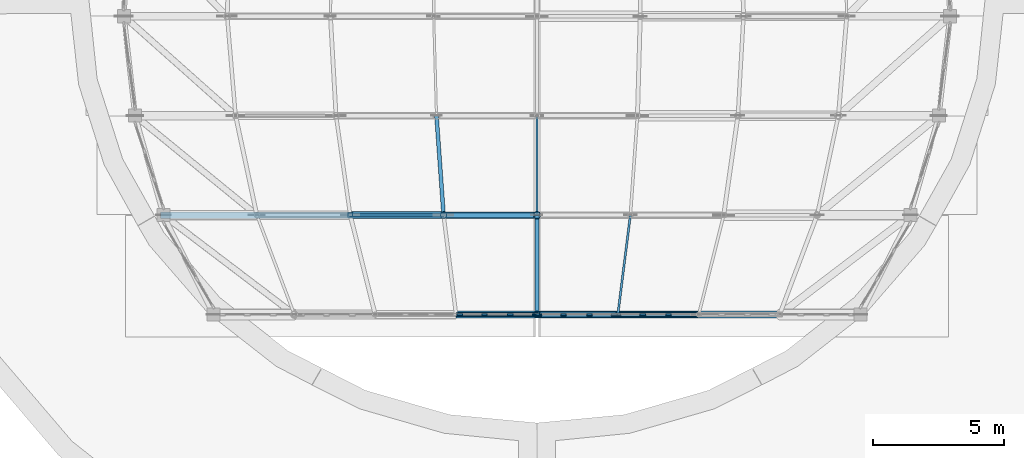
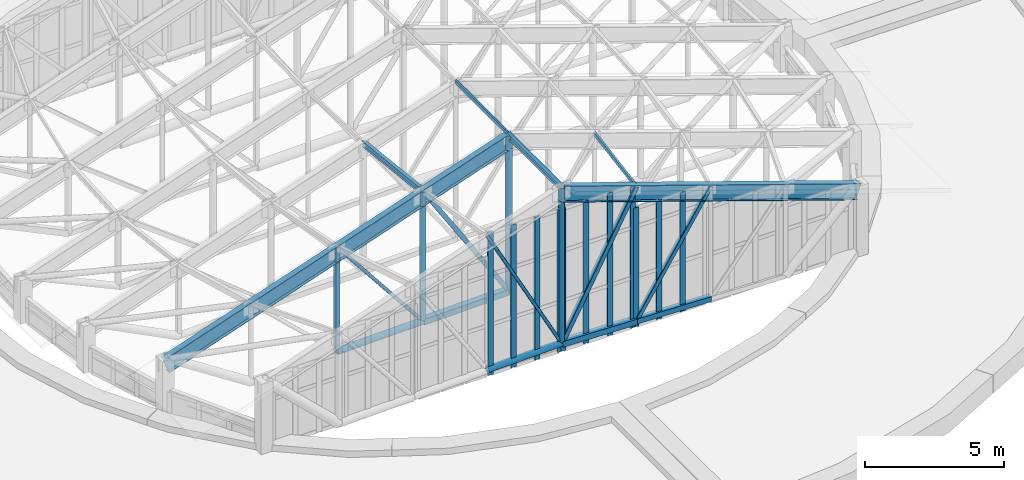
# One storey, part 11 of 105: 29 members, 2 beams, 3 elements without a shape of their own.
"""IFC4 building model written with IfcOpenShell, lengths in metres."""

import ifcopenshell
import ifcopenshell.guid

model = None  # the IFC model being written
_history = None  # IfcOwnerHistory: only IFC2X3 demands one
_inside = {}  # id of a spatial element -> (the spatial element, [elements in it])
_under = {}  # id of a project, library or spatial element -> (it, [spatial elements below it])
_declared = {}  # id of a project -> (the project, [libraries it declares])
_typed = {}  # id of a type object -> (the type object, [elements of that type])
_made_of = {}  # id of a material, layer set ... -> (it, [elements and type objects made of it])


def new_model(schema):
    """Start an empty IFC model of exactly this schema.

    Asked for "IFC4X3", IfcOpenShell would pick the latest addendum, in which some entities
    have other attributes; the version numbers below select the first issue.
    IFC2X3 requires an IfcOwnerHistory on every rooted entity: one is made here for all.
    """
    global model, _history
    if schema == "IFC4X3":
        model = ifcopenshell.file(schema_version=(4, 3, 0, 0))
    else:
        model = ifcopenshell.file(schema=schema)
    _inside.clear()
    _under.clear()
    _declared.clear()
    _typed.clear()
    _made_of.clear()
    _history = None
    if model.schema == "IFC2X3":
        org = make("IfcOrganization", Name="unknown")
        user = make(
            "IfcPersonAndOrganization",
            ThePerson=make("IfcPerson", FamilyName="unknown"),
            TheOrganization=org,
        )
        app = make(
            "IfcApplication",
            ApplicationDeveloper=org,
            Version="unknown",
            ApplicationFullName="unknown",
            ApplicationIdentifier="unknown",
        )
        _history = make(
            "IfcOwnerHistory",
            OwningUser=user,
            OwningApplication=app,
            ChangeAction="ADDED",
            CreationDate=0,
        )
    return model


def make(cls, **values):
    """One entity of the class cls with the attributes given. An attribute that is None is left unset."""
    return model.create_entity(
        cls, **{name: value for name, value in values.items() if value is not None}
    )


def rooted(cls, **values):
    """An entity with a GlobalId (a new one), such as an element, a storey or a relation."""
    return make(cls, GlobalId=ifcopenshell.guid.new(), OwnerHistory=_history, **values)


def si_unit(unit_type, name, prefix=None):
    """IfcSIUnit, for example si_unit("LENGTHUNIT", "METRE", prefix="MILLI")."""
    return make("IfcSIUnit", UnitType=unit_type, Prefix=prefix, Name=name)


def assignment(units):
    """IfcUnitAssignment: the units of a project."""
    return None if units is None else make("IfcUnitAssignment", Units=units)


def point(xyz):
    """IfcCartesianPoint."""
    return None if xyz is None else make("IfcCartesianPoint", Coordinates=xyz)


def direction(xyz):
    """IfcDirection."""
    return None if xyz is None else make("IfcDirection", DirectionRatios=xyz)


def frame(location, z_axis=None, x_axis=None):
    """IfcAxis2Placement3D, a coordinate frame: its origin and axes. An axis left out is left unset."""
    return make(
        "IfcAxis2Placement3D",
        Location=point(location),
        Axis=direction(z_axis),
        RefDirection=direction(x_axis),
    )


def frame_2d(location, x_axis=None):
    """IfcAxis2Placement2D, a coordinate frame in the plane: its origin and x axis."""
    return make(
        "IfcAxis2Placement2D", Location=point(location), RefDirection=direction(x_axis)
    )


def origin():
    """The frame at (0, 0, 0) with its axes left unset."""
    return frame((0.0, 0.0, 0.0))


def origin_2d():
    """The frame at (0, 0) in the plane with its x axis left unset."""
    return frame_2d((0.0, 0.0))


def place(relative_to, where):
    """IfcLocalPlacement: puts the frame where relative to a parent placement (None: the world)."""
    return make(
        "IfcLocalPlacement", PlacementRelTo=relative_to, RelativePlacement=where
    )


def context(
    kind, dimensions, precision=None, world=None, true_north=None, identifier=None
):
    """IfcGeometricRepresentationContext, for example the 3D "Model" context."""
    return make(
        "IfcGeometricRepresentationContext",
        ContextIdentifier=identifier,
        ContextType=kind,
        CoordinateSpaceDimension=dimensions,
        Precision=precision,
        WorldCoordinateSystem=world,
        TrueNorth=true_north,
    )


def subcontext(parent, identifier, kind, view, scale=None):
    """IfcGeometricRepresentationSubContext, for example "Body" below "Model"."""
    return make(
        "IfcGeometricRepresentationSubContext",
        ContextIdentifier=identifier,
        ContextType=kind,
        ParentContext=parent,
        TargetScale=scale,
        TargetView=view,
    )


def project(units=None, contexts=None):
    """IfcProject with its units and contexts."""
    return rooted(
        "IfcProject",
        Name="project",
        RepresentationContexts=contexts,
        UnitsInContext=assignment(units),
    )


def spatial(cls, under=None, at=None, **own):
    """A site, building, storey or space (cls), placed at a placement, below another one or the project."""
    s = rooted(cls, ObjectPlacement=at, **own)
    if under is not None:
        _under.setdefault(under.id(), (under, []))[1].append(s)
    return s


def profile(cls, at=None, kind="AREA", **sizes):
    """A parametric profile (cls). Its sizes go by their IFC names, for example OverallWidth=200.0."""
    return make(cls, ProfileType=kind, Position=at, **sizes)


def rectangle(**sizes):
    """IfcRectangleProfileDef."""
    return profile("IfcRectangleProfileDef", **sizes)


def hollow_rectangle(**sizes):
    """IfcRectangleHollowProfileDef."""
    return profile("IfcRectangleHollowProfileDef", **sizes)


def hollow_circle(**sizes):
    """IfcCircleHollowProfileDef."""
    return profile("IfcCircleHollowProfileDef", **sizes)


def i_section(**sizes):
    """IfcIShapeProfileDef."""
    return profile("IfcIShapeProfileDef", **sizes)


def extrude(swept, where, along, depth):
    """IfcExtrudedAreaSolid: the profile swept, set in the frame where, extruded along a direction by depth."""
    return make(
        "IfcExtrudedAreaSolid",
        SweptArea=swept,
        Position=where,
        ExtrudedDirection=direction(along),
        Depth=depth,
    )


def shape(context_of_items, identifier, shape_type, items):
    """IfcShapeRepresentation: the items that make up one representation, for example the "Body"."""
    return make(
        "IfcShapeRepresentation",
        ContextOfItems=context_of_items,
        RepresentationIdentifier=identifier,
        RepresentationType=shape_type,
        Items=items,
    )


def material(Name=None, Category=None):
    """IfcMaterial."""
    return make("IfcMaterial", Name=Name, Category=Category)


def material_profile(
    of_material, cross_section, Name=None, Category=None, Priority=None
):
    """IfcMaterialProfile: a cross section and its material."""
    return make(
        "IfcMaterialProfile",
        Name=Name,
        Material=of_material,
        Profile=cross_section,
        Priority=Priority,
        Category=Category,
    )


def profile_set(profiles, Name=None, composite=None):
    """IfcMaterialProfileSet."""
    return make(
        "IfcMaterialProfileSet",
        Name=Name,
        MaterialProfiles=profiles,
        CompositeProfile=composite,
    )


def made_of(thing, what):
    """Note that an element or type object is made of a material, layer set ...; save() writes the relation."""
    if what is not None:
        _made_of.setdefault(what.id(), (what, []))[1].append(thing)
    return thing


def type_object(cls, material=None, **own):
    """A type object (cls), such as IfcWallType, which elements share."""
    return made_of(rooted(cls, **own), material)


def element(
    cls,
    number,
    at=None,
    inside=None,
    cuts=None,
    type_object=None,
    material=None,
    context=None,
    identifier="Body",
    shape_type=None,
    held_by="IfcProductDefinitionShape",
    body=None,
    shapes=None,
    **own,
):
    """One element of the class cls, such as IfcWall. Its Tag is "e" and its number.

    at: its placement. inside: the storey or other place that contains it. cuts: it is an
    opening in that element (IfcRelVoidsElement). A single representation is given by context,
    identifier, shape_type and body (its items); several are given by shapes. held_by: the class
    of the entity that holds the representations. save() writes the other relations.
    """
    e = rooted(cls, Tag="e%d" % number, ObjectPlacement=at, **own)
    if body is not None:
        shapes = [shape(context, identifier, shape_type, body)]
    if shapes is not None:
        e.Representation = make(held_by, Representations=shapes)
    if inside is not None:
        _inside.setdefault(inside.id(), (inside, []))[1].append(e)
    if cuts is not None:
        rooted(
            "IfcRelVoidsElement", RelatingBuildingElement=cuts, RelatedOpeningElement=e
        )
    if type_object is not None:
        _typed.setdefault(type_object.id(), (type_object, []))[1].append(e)
    return made_of(e, material)


def aggregate(whole, parts):
    """IfcRelAggregates: a whole, such as a stair, and the parts it consists of."""
    return rooted("IfcRelAggregates", RelatingObject=whole, RelatedObjects=parts)


def save(model, path):
    """Write the relations noted so far, then the file.

    IfcRelAggregates (storeys below a building ...), IfcRelContainedInSpatialStructure (elements
    in a storey), IfcRelDefinesByType, IfcRelAssociatesMaterial and IfcRelDeclares: one each for
    every whole, place, type object, material and project.
    """
    for whole, parts in _under.values():
        aggregate(whole, parts)
    for where, things in _inside.values():
        rooted(
            "IfcRelContainedInSpatialStructure",
            RelatedElements=things,
            RelatingStructure=where,
        )
    for kind, things in _typed.values():
        rooted("IfcRelDefinesByType", RelatedObjects=things, RelatingType=kind)
    for what, things in _made_of.values():
        rooted("IfcRelAssociatesMaterial", RelatedObjects=things, RelatingMaterial=what)
    for by, libraries in _declared.values():
        rooted("IfcRelDeclares", RelatingContext=by, RelatedDefinitions=libraries)
    model.write(path)


model = new_model("IFC4")

# Units and contexts
model_context = context("Model", 3, precision=1e-05, world=origin(), true_north=direction((0.0, 1.0)))
body_context = subcontext(model_context, "Body", "Model", "MODEL_VIEW")
ifc_project = project(units=[si_unit("LENGTHUNIT", "METRE"), si_unit("AREAUNIT", "SQUARE_METRE"), si_unit("VOLUMEUNIT", "CUBIC_METRE"), si_unit("PLANEANGLEUNIT", "RADIAN"), si_unit("MASSUNIT", "GRAM", prefix="KILO")], contexts=[model_context])

# Site, building, storey
site_placement = place(None, origin())
site = spatial("IfcSite", under=ifc_project, at=site_placement, CompositionType="ELEMENT")
building_placement = place(site_placement, origin())
building = spatial("IfcBuilding", under=site, at=building_placement, Name="Corveleigh Park Community Centre", CompositionType="ELEMENT")
storey_placement = place(building_placement, frame((0.0, 0.0, 8.699951171875)))
storey = spatial("IfcBuildingStorey", under=building, at=storey_placement, Name="L02", CompositionType="ELEMENT", Elevation=8.699951171875)

# Beams
ifc_material_1 = material(Name="Steel S355", Category="steel")
ifc_material_profile_1 = material_profile(ifc_material_1, i_section(OverallWidth=0.253662109375, OverallDepth=0.68359375, WebThickness=0.012451171875, FlangeThickness=0.01904296875, at=origin_2d()), Name="UKB 686x254x140", Category="steel")
ifc_profile_set_1 = profile_set([ifc_material_profile_1], Name="Steel S355")
beam_type = type_object("IfcBeamType", Name="BM-STL-UKB686x140", PredefinedType="BEAM", material=ifc_profile_set_1)
beam_1_placement = place(storey_placement, frame((31.0, 15.39990234375, 6.951416015625), z_axis=(0.946289641438, 0.0, -0.32332014244), x_axis=(0.0, 1.0, 0.0)))
element("IfcBeam", 1, at=beam_1_placement, inside=storey, type_object=beam_type, Name="V1 Portal Rafter E1", PredefinedType="BEAM", context=body_context, shape_type="SweptSolid", body=[
    extrude(i_section(OverallWidth=0.253662109375, OverallDepth=0.68359375, WebThickness=0.012451171875, FlangeThickness=0.01904296875, at=origin_2d()), origin(), (0.0, 0.0, 1.0), 13.06787109375),
])
beam_2_placement = place(storey_placement, frame((16.72509765625, 19.199951171875, 2.074462890625), z_axis=(0.94629721214, 0.0, 0.323297983748), x_axis=(0.0, 1.0, 0.0)))
element("IfcBeam", 2, at=beam_2_placement, inside=storey, type_object=beam_type, Name="V1 Portal Rafter W2", PredefinedType="BEAM", context=body_context, shape_type="SweptSolid", body=[
    extrude(i_section(OverallWidth=0.253662109375, OverallDepth=0.68359375, WebThickness=0.012451171875, FlangeThickness=0.01904296875, at=origin_2d()), origin(), (0.0, 0.0, 1.0), 15.0849609375),
])

# Curtain wall, members
ifc_material_2 = material(Name="Anodised aluminium 6063-T6", Category="aluminium")
curtain_wall_type = type_object("IfcCurtainWallType", Name="CW-SYS-V1-DRUM", PredefinedType="NOTDEFINED", material=ifc_material_2)
curtain_wall_1_placement = place(storey_placement, origin())
curtain_wall_1 = element("IfcCurtainWall", 3, at=curtain_wall_1_placement, inside=storey, type_object=curtain_wall_type, Name="Main Hall S Gable Clerestory 4", PredefinedType="NOTDEFINED")
ifc_material_profile_2 = material_profile(ifc_material_2, rectangle(XDim=0.074951171875, YDim=0.219970703125, at=origin_2d()), Name="ALU-M75x220", Category="aluminium")
ifc_profile_set_2 = profile_set([ifc_material_profile_2], Name="Anodised aluminium 6063-T6")
member_type_1 = type_object("IfcMemberType", Name="CWM-75x220", PredefinedType="MULLION", material=ifc_profile_set_2)
member_1_placement = place(storey_placement, frame((28.04638671875, 15.39990234375, 0.0), z_axis=(0.0, 0.0, 1.0), x_axis=(0.0, 1.0, 0.0)))
member_1 = element("IfcMember", 4, at=member_1_placement, type_object=member_type_1, Name="CW02 mullion 1", PredefinedType="MULLION", context=body_context, shape_type="SweptSolid", body=[
    extrude(rectangle(XDim=0.074951171875, YDim=0.219970703125, at=origin_2d()), origin(), (0.0, 0.0, 1.0), 6.26806640625),
])
member_2_placement = place(storey_placement, frame((28.99609375, 15.39990234375, 0.0), z_axis=(0.0, 0.0, 1.0), x_axis=(0.0, 1.0, 0.0)))
member_2 = element("IfcMember", 5, at=member_2_placement, type_object=member_type_1, Name="CW02 mullion 2", PredefinedType="MULLION", context=body_context, shape_type="SweptSolid", body=[
    extrude(rectangle(XDim=0.074951171875, YDim=0.219970703125, at=origin_2d()), origin(), (0.0, 0.0, 1.0), 6.26806640625),
])
member_3_placement = place(storey_placement, frame((29.98291015625, 15.39990234375, 0.0), z_axis=(0.0, 0.0, 1.0), x_axis=(0.0, 1.0, 0.0)))
member_3 = element("IfcMember", 6, at=member_3_placement, type_object=member_type_1, Name="CW02 mullion 3", PredefinedType="MULLION", context=body_context, shape_type="SweptSolid", body=[
    extrude(rectangle(XDim=0.074951171875, YDim=0.219970703125, at=origin_2d()), origin(), (0.0, 0.0, 1.0), 6.26806640625),
])
member_4_placement = place(storey_placement, frame((30.9326171875, 15.39990234375, 0.0), z_axis=(0.0, 0.0, 1.0), x_axis=(0.0, 1.0, 0.0)))
member_4 = element("IfcMember", 7, at=member_4_placement, type_object=member_type_1, Name="CW02 mullion 4", PredefinedType="MULLION", context=body_context, shape_type="SweptSolid", body=[
    extrude(rectangle(XDim=0.074951171875, YDim=0.219970703125, at=origin_2d()), origin(), (0.0, 0.0, 1.0), 6.26806640625),
])
aggregate(curtain_wall_1, [member_1, member_2, member_3, member_4])

curtain_wall_2_placement = place(storey_placement, origin())
curtain_wall_2 = element("IfcCurtainWall", 8, at=curtain_wall_2_placement, inside=storey, type_object=curtain_wall_type, Name="Main Hall S Gable Clerestory 5", PredefinedType="NOTDEFINED")
member_5_placement = place(storey_placement, frame((31.0673828125, 15.39990234375, 0.0), z_axis=(0.0, 0.0, 1.0), x_axis=(0.0, 1.0, 0.0)))
member_5 = element("IfcMember", 9, at=member_5_placement, type_object=member_type_1, Name="CW02 mullion 1", PredefinedType="MULLION", context=body_context, shape_type="SweptSolid", body=[
    extrude(rectangle(XDim=0.074951171875, YDim=0.219970703125, at=origin_2d()), origin(), (0.0, 0.0, 1.0), 6.26806640625),
])
member_6_placement = place(storey_placement, frame((32.017333984375, 15.39990234375, 0.0), z_axis=(0.0, 0.0, 1.0), x_axis=(0.0, 1.0, 0.0)))
member_6 = element("IfcMember", 10, at=member_6_placement, type_object=member_type_1, Name="CW02 mullion 2", PredefinedType="MULLION", context=body_context, shape_type="SweptSolid", body=[
    extrude(rectangle(XDim=0.074951171875, YDim=0.219970703125, at=origin_2d()), origin(), (0.0, 0.0, 1.0), 6.26806640625),
])
member_7_placement = place(storey_placement, frame((33.004638671875, 15.39990234375, 0.0), z_axis=(0.0, 0.0, 1.0), x_axis=(0.0, 1.0, 0.0)))
member_7 = element("IfcMember", 11, at=member_7_placement, type_object=member_type_1, Name="CW02 mullion 3", PredefinedType="MULLION", context=body_context, shape_type="SweptSolid", body=[
    extrude(rectangle(XDim=0.074951171875, YDim=0.219970703125, at=origin_2d()), origin(), (0.0, 0.0, 1.0), 6.26806640625),
])
member_8_placement = place(storey_placement, frame((33.95458984375, 15.39990234375, 0.0), z_axis=(0.0, 0.0, 1.0), x_axis=(0.0, 1.0, 0.0)))
member_8 = element("IfcMember", 12, at=member_8_placement, type_object=member_type_1, Name="CW02 mullion 4", PredefinedType="MULLION", context=body_context, shape_type="SweptSolid", body=[
    extrude(rectangle(XDim=0.074951171875, YDim=0.219970703125, at=origin_2d()), origin(), (0.0, 0.0, 1.0), 6.26806640625),
])
aggregate(curtain_wall_2, [member_5, member_6, member_7, member_8])

curtain_wall_3_placement = place(storey_placement, origin())
curtain_wall_3 = element("IfcCurtainWall", 13, at=curtain_wall_3_placement, inside=storey, type_object=curtain_wall_type, Name="Main Hall S Gable Clerestory 6", PredefinedType="NOTDEFINED")
member_9_placement = place(storey_placement, frame((34.089599609375, 15.39990234375, 0.0), z_axis=(0.0, 0.0, 1.0), x_axis=(0.0, 1.0, 0.0)))
member_9 = element("IfcMember", 14, at=member_9_placement, type_object=member_type_1, Name="CW02 mullion 1", PredefinedType="MULLION", context=body_context, shape_type="SweptSolid", body=[
    extrude(rectangle(XDim=0.074951171875, YDim=0.219970703125, at=origin_2d()), origin(), (0.0, 0.0, 1.0), 5.236083984375),
])
member_10_placement = place(storey_placement, frame((35.0390625, 15.39990234375, 0.0), z_axis=(0.0, 0.0, 1.0), x_axis=(0.0, 1.0, 0.0)))
member_10 = element("IfcMember", 15, at=member_10_placement, type_object=member_type_1, Name="CW02 mullion 2", PredefinedType="MULLION", context=body_context, shape_type="SweptSolid", body=[
    extrude(rectangle(XDim=0.074951171875, YDim=0.219970703125, at=origin_2d()), origin(), (0.0, 0.0, 1.0), 5.236083984375),
])
member_11_placement = place(storey_placement, frame((36.02587890625, 15.39990234375, 0.0), z_axis=(0.0, 0.0, 1.0), x_axis=(0.0, 1.0, 0.0)))
member_11 = element("IfcMember", 16, at=member_11_placement, type_object=member_type_1, Name="CW02 mullion 3", PredefinedType="MULLION", context=body_context, shape_type="SweptSolid", body=[
    extrude(rectangle(XDim=0.074951171875, YDim=0.219970703125, at=origin_2d()), origin(), (0.0, 0.0, 1.0), 5.236083984375),
])
aggregate(curtain_wall_3, [member_9, member_10, member_11])

# Members
ifc_material_profile_3 = material_profile(ifc_material_1, hollow_circle(Radius=0.06982421875, WallThickness=0.008056640625, at=origin_2d()), Name="CHS 139.7x8.0", Category="steel")
ifc_profile_set_3 = profile_set([ifc_material_profile_3], Name="Steel S355")
member_type_2 = type_object("IfcMemberType", Name="MEM-BRC-CHS140", PredefinedType="BRACE", material=ifc_profile_set_3)
member_12_placement = place(storey_placement, frame((27.908935546875, 15.39990234375, 6.14404296875), z_axis=(0.470702078887, 0.0, -0.88229221516), x_axis=(0.0, 1.0, 0.0)))
element("IfcMember", 17, at=member_12_placement, inside=storey, type_object=member_type_2, Name="V1 Truss T1 Web Diagonal", PredefinedType="BRACE", context=body_context, shape_type="SweptSolid", body=[
    extrude(hollow_circle(Radius=0.06982421875, WallThickness=0.008056640625, at=origin_2d()), origin(), (0.0, 0.0, 1.0), 6.56689453125),
])
member_13_placement = place(storey_placement, frame((23.863037109375, 19.199951171875, 4.761474609375), z_axis=(0.621319111499, 0.0, -0.783557631375), x_axis=(0.0, 1.0, 0.0)))
element("IfcMember", 18, at=member_13_placement, inside=storey, type_object=member_type_2, Name="V1 Truss T2 Web Diagonal", PredefinedType="BRACE", context=body_context, shape_type="SweptSolid", body=[
    extrude(hollow_circle(Radius=0.06982421875, WallThickness=0.008056640625, at=origin_2d()), origin(), (0.0, 0.0, 1.0), 5.742431640625),
])
ifc_material_profile_4 = material_profile(ifc_material_1, hollow_rectangle(XDim=0.159912109375, YDim=0.159912109375, WallThickness=0.010009765625, at=origin_2d()), Name="SHS 160x160x10.0", Category="steel")
ifc_profile_set_4 = profile_set([ifc_material_profile_4], Name="Steel S355")
member_type_3 = type_object("IfcMemberType", Name="MEM-BRC-SHS160", PredefinedType="BRACE", material=ifc_profile_set_4)
member_14_placement = place(storey_placement, frame((37.18310546875, 15.39990234375, 5.087646484375), z_axis=(-0.539499663551, 0.0, -0.841985815218), x_axis=(0.0, -1.0, 0.0)))
element("IfcMember", 19, at=member_14_placement, inside=storey, type_object=member_type_3, Name="V1 Truss T1 Web Diagonal", PredefinedType="BRACE", context=body_context, shape_type="SweptSolid", body=[
    extrude(hollow_rectangle(XDim=0.159912109375, YDim=0.159912109375, WallThickness=0.010009765625, at=origin_2d()), origin(), (0.0, 0.0, 1.0), 5.731201171875),
])
ifc_material_profile_5 = material_profile(ifc_material_1, hollow_rectangle(XDim=0.179931640625, YDim=0.179931640625, WallThickness=0.010009765625, at=origin_2d()), Name="SHS 180x180x10.0", Category="steel")
ifc_profile_set_5 = profile_set([ifc_material_profile_5], Name="Steel S355")
member_type_4 = type_object("IfcMemberType", Name="MEM-BRC-SHS180", PredefinedType="BRACE", material=ifc_profile_set_5)
member_15_placement = place(storey_placement, frame((34.091064453125, 15.39990234375, 6.14404296875), z_axis=(-0.470702078887, 0.0, -0.88229221516), x_axis=(0.0, -1.0, 0.0)))
element("IfcMember", 20, at=member_15_placement, inside=storey, type_object=member_type_4, Name="V1 Truss T1 Web Diagonal", PredefinedType="BRACE", context=body_context, shape_type="SweptSolid", body=[
    extrude(hollow_rectangle(XDim=0.179931640625, YDim=0.179931640625, WallThickness=0.010009765625, at=origin_2d()), origin(), (0.0, 0.0, 1.0), 6.56689453125),
])
member_16_placement = place(storey_placement, frame((27.430908203125, 19.199951171875, 5.980712890625), z_axis=(0.535377021917, 0.0, -0.844613192179), x_axis=(0.0, 1.0, 0.0)))
element("IfcMember", 21, at=member_16_placement, inside=storey, type_object=member_type_4, Name="V1 Truss T2 Web Diagonal", PredefinedType="BRACE", context=body_context, shape_type="SweptSolid", body=[
    extrude(hollow_rectangle(XDim=0.179931640625, YDim=0.179931640625, WallThickness=0.010009765625, at=origin_2d()), origin(), (0.0, 0.0, 1.0), 6.66650390625),
])
ifc_material_profile_6 = material_profile(ifc_material_1, hollow_circle(Radius=0.136474609375, WallThickness=0.012451171875, at=origin_2d()), Name="CHS 273.0x12.5", Category="steel")
ifc_profile_set_6 = profile_set([ifc_material_profile_6], Name="Steel S355")
member_type_5 = type_object("IfcMemberType", Name="MEM-CHD-CHS273", PredefinedType="CHORD", material=ifc_profile_set_6)
member_17_placement = place(storey_placement, frame((27.908935546875, 15.39990234375, 0.261962890625), z_axis=(0.999593759063, 0.0, 0.028501172658), x_axis=(0.0, 1.0, 0.0)))
element("IfcMember", 22, at=member_17_placement, inside=storey, type_object=member_type_5, Name="V1 Truss T1 Bottom Chord", PredefinedType="CHORD", context=body_context, shape_type="SweptSolid", body=[
    extrude(hollow_circle(Radius=0.136474609375, WallThickness=0.012451171875, at=origin_2d()), origin(), (0.0, 0.0, 1.0), 3.09228515625),
])
member_18_placement = place(storey_placement, frame((23.863037109375, 19.199951171875, 0.175048828125), z_axis=(0.999703422256, 0.0, 0.024352977852), x_axis=(0.0, 1.0, 0.0)))
element("IfcMember", 23, at=member_18_placement, inside=storey, type_object=member_type_5, Name="V1 Truss T2 Bottom Chord", PredefinedType="CHORD", context=body_context, shape_type="SweptSolid", body=[
    extrude(hollow_circle(Radius=0.136474609375, WallThickness=0.012451171875, at=origin_2d()), origin(), (0.0, 0.0, 1.0), 3.56884765625),
])
ifc_material_profile_7 = material_profile(ifc_material_1, hollow_rectangle(XDim=0.219970703125, YDim=0.219970703125, WallThickness=0.012451171875, at=origin_2d()), Name="SHS 220x220x12.5", Category="steel")
ifc_profile_set_7 = profile_set([ifc_material_profile_7], Name="Steel S355")
member_type_6 = type_object("IfcMemberType", Name="MEM-CHD-SHS220", PredefinedType="CHORD", material=ifc_profile_set_7)
member_19_placement = place(storey_placement, frame((34.091064453125, 15.39990234375, 0.261962890625), z_axis=(0.999605177087, 0.0, -0.028097863643), x_axis=(0.0, 1.0, 0.0)))
element("IfcMember", 24, at=member_19_placement, inside=storey, type_object=member_type_6, Name="V1 Truss T1 Bottom Chord", PredefinedType="CHORD", context=body_context, shape_type="SweptSolid", body=[
    extrude(hollow_rectangle(XDim=0.219970703125, YDim=0.219970703125, WallThickness=0.012451171875, at=origin_2d()), origin(), (0.0, 0.0, 1.0), 3.09326171875),
])
ifc_material_profile_8 = material_profile(ifc_material_1, hollow_rectangle(XDim=0.25, YDim=0.25, WallThickness=0.012451171875, at=origin_2d()), Name="SHS 250x250x12.5", Category="steel")
ifc_profile_set_8 = profile_set([ifc_material_profile_8], Name="Steel S355")
member_type_7 = type_object("IfcMemberType", Name="MEM-CHD-SHS250", PredefinedType="CHORD", material=ifc_profile_set_8)
member_20_placement = place(storey_placement, frame((31.0, 15.39990234375, 0.35009765625), z_axis=(0.999593759063, 0.0, -0.028501172658), x_axis=(0.0, 1.0, 0.0)))
element("IfcMember", 25, at=member_20_placement, inside=storey, type_object=member_type_7, Name="V1 Truss T1 Bottom Chord", PredefinedType="CHORD", context=body_context, shape_type="SweptSolid", body=[
    extrude(hollow_rectangle(XDim=0.25, YDim=0.25, WallThickness=0.012451171875, at=origin_2d()), origin(), (0.0, 0.0, 1.0), 3.09228515625),
])
member_21_placement = place(storey_placement, frame((27.430908203125, 19.199951171875, 0.261962890625), z_axis=(0.999695245231, 0.0, 0.02468636593), x_axis=(0.0, 1.0, 0.0)))
element("IfcMember", 26, at=member_21_placement, inside=storey, type_object=member_type_7, Name="V1 Truss T2 Bottom Chord", PredefinedType="CHORD", context=body_context, shape_type="SweptSolid", body=[
    extrude(hollow_rectangle(XDim=0.25, YDim=0.25, WallThickness=0.012451171875, at=origin_2d()), origin(), (0.0, 0.0, 1.0), 3.570068359375),
])
ifc_material_profile_9 = material_profile(ifc_material_1, hollow_rectangle(XDim=0.080078125, YDim=0.159912109375, WallThickness=0.008056640625, at=origin_2d()), Name="RHS 160x80x8.0", Category="steel")
ifc_profile_set_9 = profile_set([ifc_material_profile_9], Name="Steel S355")
member_type_8 = type_object("IfcMemberType", Name="MEM-PRL-RHS160", PredefinedType="PURLIN", material=ifc_profile_set_9)
member_22_placement = place(storey_placement, frame((34.091064453125, 15.39990234375, 6.1669921875), z_axis=(0.124698060765, 0.991279527993, -0.042606232202), x_axis=(-0.992180485218, 0.124811396727, 0.0)))
element("IfcMember", 27, at=member_22_placement, inside=storey, type_object=member_type_8, Name="V1 Pitched Roof Purlin", PredefinedType="PURLIN", context=body_context, shape_type="SweptSolid", body=[
    extrude(hollow_rectangle(XDim=0.080078125, YDim=0.159912109375, WallThickness=0.008056640625, at=origin_2d()), origin(), (0.0, 0.0, 1.0), 3.83349609375),
])
member_23_placement = place(storey_placement, frame((31.0, 19.199951171875, 7.22314453125), z_axis=(0.0, 1.0, 0.0), x_axis=(-1.0, 0.0, 0.0)))
element("IfcMember", 28, at=member_23_placement, inside=storey, type_object=member_type_8, Name="V1 Pitched Roof Purlin", PredefinedType="PURLIN", context=body_context, shape_type="SweptSolid", body=[
    extrude(hollow_rectangle(XDim=0.080078125, YDim=0.159912109375, WallThickness=0.008056640625, at=origin_2d()), origin(), (0.0, 0.0, 1.0), 3.800048828125),
])
ifc_material_profile_10 = material_profile(ifc_material_1, i_section(OverallWidth=0.14599609375, OverallDepth=0.25146484375, WebThickness=0.006103515625, FlangeThickness=0.008544921875, at=origin_2d()), Name="UKB 254x146x31", Category="steel")
ifc_profile_set_10 = profile_set([ifc_material_profile_10], Name="Steel S355")
member_type_9 = type_object("IfcMemberType", Name="MEM-PRL-UKB254", PredefinedType="PURLIN", material=ifc_profile_set_10)
member_24_placement = place(storey_placement, frame((31.0, 15.39990234375, 7.17724609375), z_axis=(0.0, 1.0, 0.0), x_axis=(-1.0, 0.0, 0.0)))
element("IfcMember", 29, at=member_24_placement, inside=storey, type_object=member_type_9, Name="V1 Pitched Roof Purlin", PredefinedType="PURLIN", context=body_context, shape_type="SweptSolid", body=[
    extrude(i_section(OverallWidth=0.14599609375, OverallDepth=0.25146484375, WebThickness=0.006103515625, FlangeThickness=0.008544921875, at=origin_2d()), origin(), (0.0, 0.0, 1.0), 3.800048828125),
])
member_25_placement = place(storey_placement, frame((27.430908203125, 19.199951171875, 5.9580078125), z_axis=(-0.071112112615, 0.99717120077, -0.024344687202), x_axis=(-0.997466825815, -0.071133194774, 0.0)))
element("IfcMember", 30, at=member_25_placement, inside=storey, type_object=member_type_9, Name="V1 Pitched Roof Purlin", PredefinedType="PURLIN", context=body_context, shape_type="SweptSolid", body=[
    extrude(i_section(OverallWidth=0.14599609375, OverallDepth=0.25146484375, WebThickness=0.006103515625, FlangeThickness=0.008544921875, at=origin_2d()), origin(), (0.0, 0.0, 1.0), 3.810791015625),
])
ifc_material_profile_11 = material_profile(ifc_material_1, hollow_circle(Radius=0.122314453125, WallThickness=0.012451171875, at=origin_2d()), Name="CHS 244.5x12.5", Category="steel")
ifc_profile_set_11 = profile_set([ifc_material_profile_11], Name="Steel S355")
member_type_10 = type_object("IfcMemberType", Name="MEM-STR-CHS245", PredefinedType="STRUT", material=ifc_profile_set_11)
member_26_placement = place(storey_placement, frame((31.0, 15.39990234375, 0.35009765625), z_axis=(0.0, 0.0, 1.0), x_axis=(1.0, 0.0, 0.0)))
element("IfcMember", 31, at=member_26_placement, inside=storey, type_object=member_type_10, Name="V1 Truss T1 Web Post", PredefinedType="STRUT", context=body_context, shape_type="SweptSolid", body=[
    extrude(hollow_circle(Radius=0.122314453125, WallThickness=0.012451171875, at=origin_2d()), origin(), (0.0, 0.0, 1.0), 6.849853515625),
])
member_27_placement = place(storey_placement, frame((27.430908203125, 19.199951171875, 0.261962890625), z_axis=(0.0, 0.0, 1.0), x_axis=(1.0, 0.0, 0.0)))
element("IfcMember", 32, at=member_27_placement, inside=storey, type_object=member_type_10, Name="V1 Truss T2 Web Post", PredefinedType="STRUT", context=body_context, shape_type="SweptSolid", body=[
    extrude(hollow_circle(Radius=0.122314453125, WallThickness=0.012451171875, at=origin_2d()), origin(), (0.0, 0.0, 1.0), 5.71875),
])
ifc_material_profile_12 = material_profile(ifc_material_1, hollow_circle(Radius=0.136474609375, WallThickness=0.012451171875, at=origin_2d()), Name="CHS 273.0x12.5", Category="steel")
ifc_profile_set_12 = profile_set([ifc_material_profile_12], Name="Steel S355")
member_type_11 = type_object("IfcMemberType", Name="MEM-STR-CHS273E", PredefinedType="STRUT", material=ifc_profile_set_12)
member_28_placement = place(storey_placement, frame((31.0, 19.199951171875, 0.35009765625), z_axis=(0.0, 0.0, 1.0), x_axis=(1.0, 0.0, 0.0)))
element("IfcMember", 33, at=member_28_placement, inside=storey, type_object=member_type_11, Name="V1 Truss T2 Web Post", PredefinedType="STRUT", context=body_context, shape_type="SweptSolid", body=[
    extrude(hollow_circle(Radius=0.136474609375, WallThickness=0.012451171875, at=origin_2d()), origin(), (0.0, 0.0, 1.0), 6.849853515625),
])
ifc_material_profile_13 = material_profile(ifc_material_1, hollow_rectangle(XDim=0.179931640625, YDim=0.179931640625, WallThickness=0.010009765625, at=origin_2d()), Name="SHS 180x180x10.0", Category="steel")
ifc_profile_set_13 = profile_set([ifc_material_profile_13], Name="Steel S355")
member_type_12 = type_object("IfcMemberType", Name="MEM-STR-SHS180I", PredefinedType="STRUT", material=ifc_profile_set_13)
member_29_placement = place(storey_placement, frame((23.863037109375, 19.199951171875, 0.175048828125), z_axis=(0.0, 0.0, 1.0), x_axis=(1.0, 0.0, 0.0)))
element("IfcMember", 34, at=member_29_placement, inside=storey, type_object=member_type_12, Name="V1 Truss T2 Web Post", PredefinedType="STRUT", context=body_context, shape_type="SweptSolid", body=[
    extrude(hollow_rectangle(XDim=0.179931640625, YDim=0.179931640625, WallThickness=0.010009765625, at=origin_2d()), origin(), (0.0, 0.0, 1.0), 4.58642578125),
])

save(model, "model.ifc")
